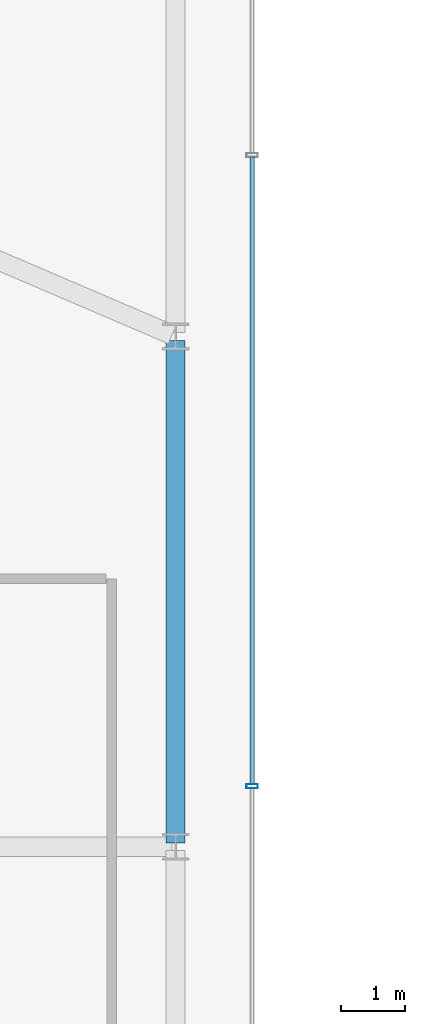
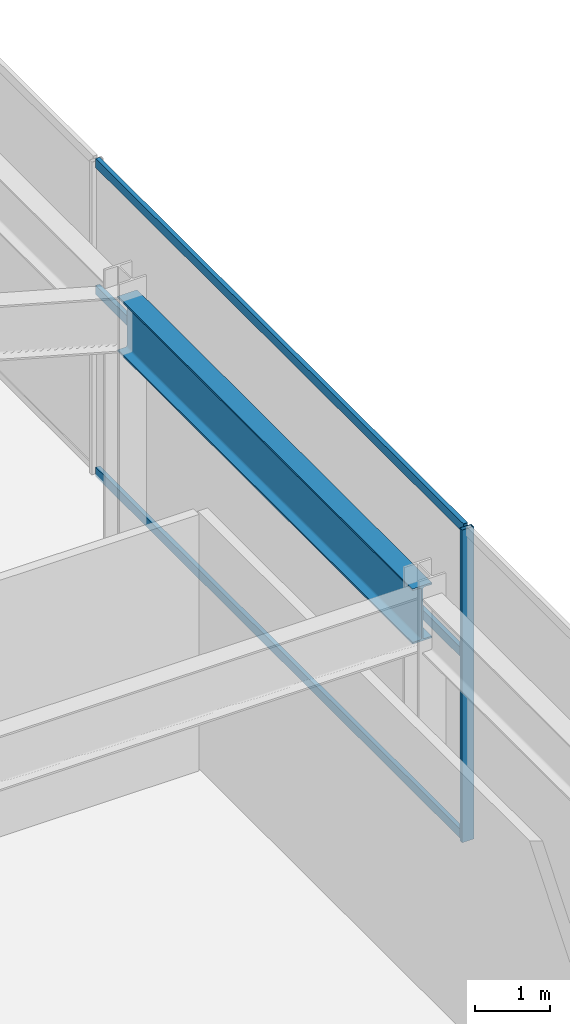
# One storey, part 28 of 52: 4 members, 1 beam, 1 element without a shape of its own.
"""IFC4 building model written with IfcOpenShell, lengths in metres."""

import ifcopenshell
import ifcopenshell.guid

model = None  # the IFC model being written
_history = None  # IfcOwnerHistory: only IFC2X3 demands one
_inside = {}  # id of a spatial element -> (the spatial element, [elements in it])
_under = {}  # id of a project, library or spatial element -> (it, [spatial elements below it])
_declared = {}  # id of a project -> (the project, [libraries it declares])
_typed = {}  # id of a type object -> (the type object, [elements of that type])
_made_of = {}  # id of a material, layer set ... -> (it, [elements and type objects made of it])


def new_model(schema):
    """Start an empty IFC model of exactly this schema.

    Asked for "IFC4X3", IfcOpenShell would pick the latest addendum, in which some entities
    have other attributes; the version numbers below select the first issue.
    IFC2X3 requires an IfcOwnerHistory on every rooted entity: one is made here for all.
    """
    global model, _history
    if schema == "IFC4X3":
        model = ifcopenshell.file(schema_version=(4, 3, 0, 0))
    else:
        model = ifcopenshell.file(schema=schema)
    _inside.clear()
    _under.clear()
    _declared.clear()
    _typed.clear()
    _made_of.clear()
    _history = None
    if model.schema == "IFC2X3":
        org = make("IfcOrganization", Name="unknown")
        user = make(
            "IfcPersonAndOrganization",
            ThePerson=make("IfcPerson", FamilyName="unknown"),
            TheOrganization=org,
        )
        app = make(
            "IfcApplication",
            ApplicationDeveloper=org,
            Version="unknown",
            ApplicationFullName="unknown",
            ApplicationIdentifier="unknown",
        )
        _history = make(
            "IfcOwnerHistory",
            OwningUser=user,
            OwningApplication=app,
            ChangeAction="ADDED",
            CreationDate=0,
        )
    return model


def make(cls, **values):
    """One entity of the class cls with the attributes given. An attribute that is None is left unset."""
    return model.create_entity(
        cls, **{name: value for name, value in values.items() if value is not None}
    )


def rooted(cls, **values):
    """An entity with a GlobalId (a new one), such as an element, a storey or a relation."""
    return make(cls, GlobalId=ifcopenshell.guid.new(), OwnerHistory=_history, **values)


def si_unit(unit_type, name, prefix=None):
    """IfcSIUnit, for example si_unit("LENGTHUNIT", "METRE", prefix="MILLI")."""
    return make("IfcSIUnit", UnitType=unit_type, Prefix=prefix, Name=name)


def assignment(units):
    """IfcUnitAssignment: the units of a project."""
    return None if units is None else make("IfcUnitAssignment", Units=units)


def point(xyz):
    """IfcCartesianPoint."""
    return None if xyz is None else make("IfcCartesianPoint", Coordinates=xyz)


def direction(xyz):
    """IfcDirection."""
    return None if xyz is None else make("IfcDirection", DirectionRatios=xyz)


def frame(location, z_axis=None, x_axis=None):
    """IfcAxis2Placement3D, a coordinate frame: its origin and axes. An axis left out is left unset."""
    return make(
        "IfcAxis2Placement3D",
        Location=point(location),
        Axis=direction(z_axis),
        RefDirection=direction(x_axis),
    )


def frame_2d(location, x_axis=None):
    """IfcAxis2Placement2D, a coordinate frame in the plane: its origin and x axis."""
    return make(
        "IfcAxis2Placement2D", Location=point(location), RefDirection=direction(x_axis)
    )


def origin():
    """The frame at (0, 0, 0) with its axes left unset."""
    return frame((0.0, 0.0, 0.0))


def origin_2d():
    """The frame at (0, 0) in the plane with its x axis left unset."""
    return frame_2d((0.0, 0.0))


def place(relative_to, where):
    """IfcLocalPlacement: puts the frame where relative to a parent placement (None: the world)."""
    return make(
        "IfcLocalPlacement", PlacementRelTo=relative_to, RelativePlacement=where
    )


def context(
    kind, dimensions, precision=None, world=None, true_north=None, identifier=None
):
    """IfcGeometricRepresentationContext, for example the 3D "Model" context."""
    return make(
        "IfcGeometricRepresentationContext",
        ContextIdentifier=identifier,
        ContextType=kind,
        CoordinateSpaceDimension=dimensions,
        Precision=precision,
        WorldCoordinateSystem=world,
        TrueNorth=true_north,
    )


def subcontext(parent, identifier, kind, view, scale=None):
    """IfcGeometricRepresentationSubContext, for example "Body" below "Model"."""
    return make(
        "IfcGeometricRepresentationSubContext",
        ContextIdentifier=identifier,
        ContextType=kind,
        ParentContext=parent,
        TargetScale=scale,
        TargetView=view,
    )


def project(units=None, contexts=None):
    """IfcProject with its units and contexts."""
    return rooted(
        "IfcProject",
        Name="project",
        RepresentationContexts=contexts,
        UnitsInContext=assignment(units),
    )


def spatial(cls, under=None, at=None, **own):
    """A site, building, storey or space (cls), placed at a placement, below another one or the project."""
    s = rooted(cls, ObjectPlacement=at, **own)
    if under is not None:
        _under.setdefault(under.id(), (under, []))[1].append(s)
    return s


def profile(cls, at=None, kind="AREA", **sizes):
    """A parametric profile (cls). Its sizes go by their IFC names, for example OverallWidth=200.0."""
    return make(cls, ProfileType=kind, Position=at, **sizes)


def hollow_rectangle(**sizes):
    """IfcRectangleHollowProfileDef."""
    return profile("IfcRectangleHollowProfileDef", **sizes)


def i_section(**sizes):
    """IfcIShapeProfileDef."""
    return profile("IfcIShapeProfileDef", **sizes)


def extrude(swept, where, along, depth):
    """IfcExtrudedAreaSolid: the profile swept, set in the frame where, extruded along a direction by depth."""
    return make(
        "IfcExtrudedAreaSolid",
        SweptArea=swept,
        Position=where,
        ExtrudedDirection=direction(along),
        Depth=depth,
    )


def shape(context_of_items, identifier, shape_type, items):
    """IfcShapeRepresentation: the items that make up one representation, for example the "Body"."""
    return make(
        "IfcShapeRepresentation",
        ContextOfItems=context_of_items,
        RepresentationIdentifier=identifier,
        RepresentationType=shape_type,
        Items=items,
    )


def material(Name=None, Category=None):
    """IfcMaterial."""
    return make("IfcMaterial", Name=Name, Category=Category)


def material_profile(
    of_material, cross_section, Name=None, Category=None, Priority=None
):
    """IfcMaterialProfile: a cross section and its material."""
    return make(
        "IfcMaterialProfile",
        Name=Name,
        Material=of_material,
        Profile=cross_section,
        Priority=Priority,
        Category=Category,
    )


def profile_set(profiles, Name=None, composite=None):
    """IfcMaterialProfileSet."""
    return make(
        "IfcMaterialProfileSet",
        Name=Name,
        MaterialProfiles=profiles,
        CompositeProfile=composite,
    )


def made_of(thing, what):
    """Note that an element or type object is made of a material, layer set ...; save() writes the relation."""
    if what is not None:
        _made_of.setdefault(what.id(), (what, []))[1].append(thing)
    return thing


def type_object(cls, material=None, **own):
    """A type object (cls), such as IfcWallType, which elements share."""
    return made_of(rooted(cls, **own), material)


def element(
    cls,
    number,
    at=None,
    inside=None,
    cuts=None,
    type_object=None,
    material=None,
    context=None,
    identifier="Body",
    shape_type=None,
    held_by="IfcProductDefinitionShape",
    body=None,
    shapes=None,
    **own,
):
    """One element of the class cls, such as IfcWall. Its Tag is "e" and its number.

    at: its placement. inside: the storey or other place that contains it. cuts: it is an
    opening in that element (IfcRelVoidsElement). A single representation is given by context,
    identifier, shape_type and body (its items); several are given by shapes. held_by: the class
    of the entity that holds the representations. save() writes the other relations.
    """
    e = rooted(cls, Tag="e%d" % number, ObjectPlacement=at, **own)
    if body is not None:
        shapes = [shape(context, identifier, shape_type, body)]
    if shapes is not None:
        e.Representation = make(held_by, Representations=shapes)
    if inside is not None:
        _inside.setdefault(inside.id(), (inside, []))[1].append(e)
    if cuts is not None:
        rooted(
            "IfcRelVoidsElement", RelatingBuildingElement=cuts, RelatedOpeningElement=e
        )
    if type_object is not None:
        _typed.setdefault(type_object.id(), (type_object, []))[1].append(e)
    return made_of(e, material)


def aggregate(whole, parts):
    """IfcRelAggregates: a whole, such as a stair, and the parts it consists of."""
    return rooted("IfcRelAggregates", RelatingObject=whole, RelatedObjects=parts)


def save(model, path):
    """Write the relations noted so far, then the file.

    IfcRelAggregates (storeys below a building ...), IfcRelContainedInSpatialStructure (elements
    in a storey), IfcRelDefinesByType, IfcRelAssociatesMaterial and IfcRelDeclares: one each for
    every whole, place, type object, material and project.
    """
    for whole, parts in _under.values():
        aggregate(whole, parts)
    for where, things in _inside.values():
        rooted(
            "IfcRelContainedInSpatialStructure",
            RelatedElements=things,
            RelatingStructure=where,
        )
    for kind, things in _typed.values():
        rooted("IfcRelDefinesByType", RelatedObjects=things, RelatingType=kind)
    for what, things in _made_of.values():
        rooted("IfcRelAssociatesMaterial", RelatedObjects=things, RelatingMaterial=what)
    for by, libraries in _declared.values():
        rooted("IfcRelDeclares", RelatingContext=by, RelatedDefinitions=libraries)
    model.write(path)


model = new_model("IFC4")

# Units and contexts
model_context = context("Model", 3, precision=1e-05, world=origin(), true_north=direction((0.0, 1.0)))
body_context = subcontext(model_context, "Body", "Model", "MODEL_VIEW")
ifc_project = project(units=[si_unit("LENGTHUNIT", "METRE"), si_unit("AREAUNIT", "SQUARE_METRE"), si_unit("VOLUMEUNIT", "CUBIC_METRE"), si_unit("PLANEANGLEUNIT", "RADIAN"), si_unit("MASSUNIT", "GRAM", prefix="KILO")], contexts=[model_context])

# Site, building, storey
site_placement = place(None, origin())
site = spatial("IfcSite", under=ifc_project, at=site_placement, CompositionType="ELEMENT")
building_placement = place(site_placement, origin())
building = spatial("IfcBuilding", under=site, at=building_placement, Name="Saevonmaru Cultural Tower", CompositionType="ELEMENT")
storey_placement = place(building_placement, frame((0.0, 0.0, 11.39990234375)))
storey = spatial("IfcBuildingStorey", under=building, at=storey_placement, Name="L02", CompositionType="ELEMENT", Elevation=11.39990234375)

# Beam
ifc_material_1 = material(Name="Steel SM420", Category="steel")
ifc_material_profile_1 = material_profile(ifc_material_1, i_section(OverallWidth=0.300048828125, OverallDepth=0.89990234375, WebThickness=0.01611328125, FlangeThickness=0.028076171875, FilletRadius=0.028076171875, at=origin_2d()), Name="H-900x300x16x28")
ifc_profile_set_1 = profile_set([ifc_material_profile_1], Name="Steel SM420")
beam_type = type_object("IfcBeamType", Name="BM-G-H900", PredefinedType="BEAM", material=ifc_profile_set_1)
beam_placement = place(storey_placement, frame((58.800048828125, 32.06005859375, 4.650146484375), z_axis=(0.0, 1.0, 0.0), x_axis=(-1.0, 0.0, 0.0)))
element("IfcBeam", 1, at=beam_placement, inside=storey, type_object=beam_type, Name="BM-POD-PE-4-L02", PredefinedType="BEAM", context=body_context, shape_type="SweptSolid", body=[
    extrude(i_section(OverallWidth=0.300048828125, OverallDepth=0.89990234375, WebThickness=0.01611328125, FlangeThickness=0.028076171875, FilletRadius=0.028076171875, at=origin_2d()), origin(), (0.0, 0.0, 1.0), 7.8798828125),
])

# Curtain wall, members
ifc_material_2 = material(Name="Satin Bronze Anodised Aluminium", Category="aluminium")
curtain_wall_type = type_object("IfcCurtainWallType", Name="CW-POD-GLZ", PredefinedType="NOTDEFINED", material=ifc_material_2)
curtain_wall_placement = place(storey_placement, origin())
curtain_wall = element("IfcCurtainWall", 2, at=curtain_wall_placement, inside=storey, type_object=curtain_wall_type, Name="L02 Saevon Plaza Curtain Wall", PredefinedType="NOTDEFINED")
ifc_material_profile_2 = material_profile(ifc_material_2, hollow_rectangle(XDim=0.06494140625, YDim=0.179931640625, WallThickness=0.00390625, at=origin_2d()), Name="ALU-MULL-180x65x4")
ifc_profile_set_2 = profile_set([ifc_material_profile_2], Name="Satin Bronze Anodised Aluminium")
member_type_1 = type_object("IfcMemberType", Name="ML-CW-180x65", PredefinedType="MULLION", material=ifc_profile_set_2)
member_1_placement = place(storey_placement, frame((60.0, 32.947998046875, 0.0), z_axis=(0.0, 0.0, 1.0), x_axis=(0.0, 1.0, 0.0)))
member_1 = element("IfcMember", 3, at=member_1_placement, type_object=member_type_1, Name="CW-POD-E-L02 mullion 4", PredefinedType="MULLION", context=body_context, shape_type="SweptSolid", body=[
    extrude(hollow_rectangle(XDim=0.06494140625, YDim=0.179931640625, WallThickness=0.00390625, at=origin_2d()), origin(), (0.0, 0.0, 1.0), 5.10009765625),
])
ifc_material_profile_3 = material_profile(ifc_material_2, hollow_rectangle(XDim=0.06494140625, YDim=0.14990234375, WallThickness=0.00390625, at=origin_2d()), Name="ALU-TRAN-150x65x4")
ifc_profile_set_3 = profile_set([ifc_material_profile_3], Name="Satin Bronze Anodised Aluminium")
member_type_2 = type_object("IfcMemberType", Name="TR-CW-150x65", PredefinedType="USERDEFINED", material=ifc_profile_set_3)
member_2_placement = place(storey_placement, frame((60.0, 32.98046875, 0.03271484375), z_axis=(0.0, 1.0, 0.0), x_axis=(-1.0, 0.0, 0.0)))
member_2 = element("IfcMember", 4, at=member_2_placement, type_object=member_type_2, Name="CW-POD-E-L02 transom 4.1", ObjectType="TRANSOM", PredefinedType="USERDEFINED", context=body_context, shape_type="SweptSolid", body=[
    extrude(hollow_rectangle(XDim=0.06494140625, YDim=0.14990234375, WallThickness=0.00390625, at=origin_2d()), origin(), (0.0, 0.0, 1.0), 9.8310546875),
])
member_3_placement = place(storey_placement, frame((60.0, 32.98046875, 3.0), z_axis=(0.0, 1.0, 0.0), x_axis=(-1.0, 0.0, 0.0)))
member_3 = element("IfcMember", 5, at=member_3_placement, type_object=member_type_2, Name="CW-POD-E-L02 transom 4.2", ObjectType="TRANSOM", PredefinedType="USERDEFINED", context=body_context, shape_type="SweptSolid", body=[
    extrude(hollow_rectangle(XDim=0.06494140625, YDim=0.14990234375, WallThickness=0.00390625, at=origin_2d()), origin(), (0.0, 0.0, 1.0), 9.8310546875),
])
member_4_placement = place(storey_placement, frame((60.0, 32.98046875, 5.067626953125), z_axis=(0.0, 1.0, 0.0), x_axis=(-1.0, 0.0, 0.0)))
member_4 = element("IfcMember", 6, at=member_4_placement, type_object=member_type_2, Name="CW-POD-E-L02 transom 4.3", ObjectType="TRANSOM", PredefinedType="USERDEFINED", context=body_context, shape_type="SweptSolid", body=[
    extrude(hollow_rectangle(XDim=0.06494140625, YDim=0.14990234375, WallThickness=0.00390625, at=origin_2d()), origin(), (0.0, 0.0, 1.0), 9.8310546875),
])
aggregate(curtain_wall, [member_1, member_2, member_3, member_4])

save(model, "model.ifc")
